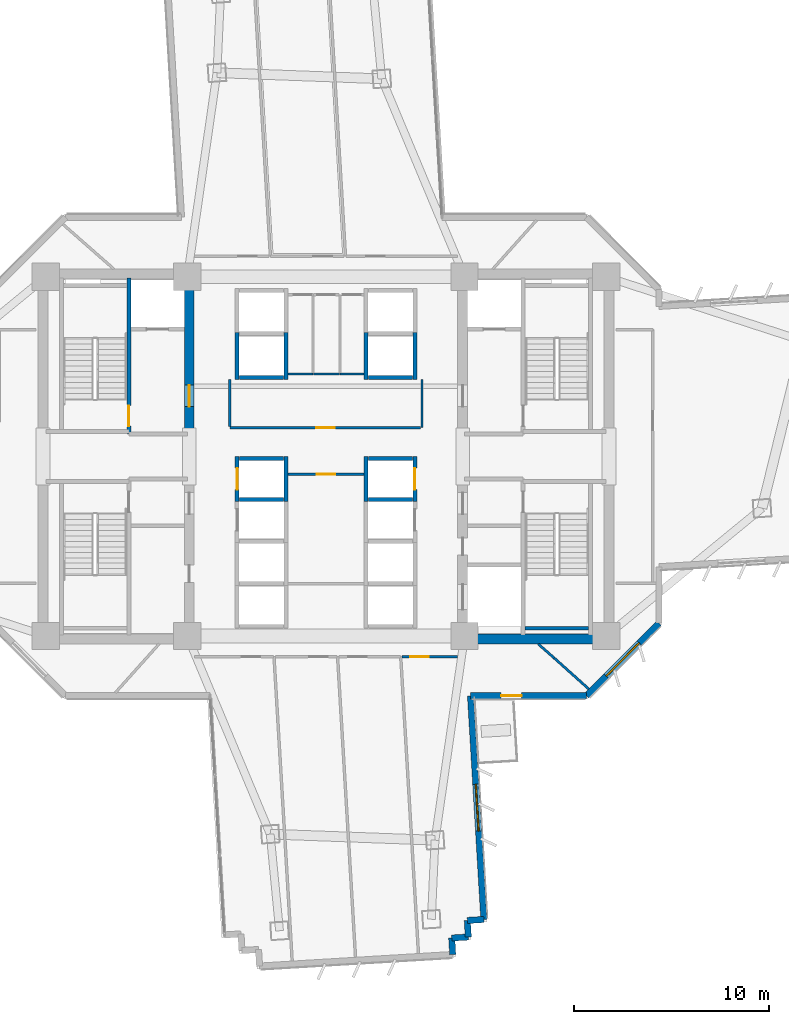
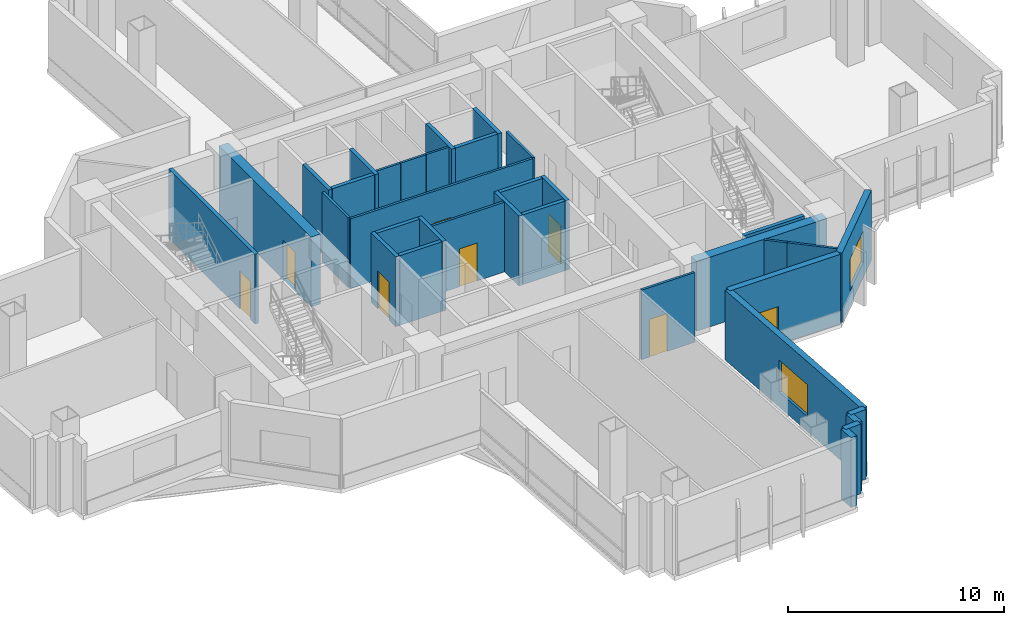
# One storey, part 7 of 15: 35 walls, 8 doors, 2 windows, 10 openings.
"""IFC4 building model written with IfcOpenShell, lengths in metres."""

from ifc_helpers import new_model, si_unit, direction, frame, frame_2d, origin, place, context, subcontext, project, spatial, rectangle, extrude, source, transform, mapped, material, layer, layer_set, type_object, element, fill, save


model = new_model("IFC4")

# Units and contexts
model_context = context("Model", 3, precision=1e-05, world=origin(), true_north=direction((0.0, 1.0)))
body_context = subcontext(model_context, "Body", "Model", "MODEL_VIEW")
ifc_project = project(units=[si_unit("LENGTHUNIT", "METRE"), si_unit("AREAUNIT", "SQUARE_METRE"), si_unit("VOLUMEUNIT", "CUBIC_METRE"), si_unit("PLANEANGLEUNIT", "RADIAN"), si_unit("MASSUNIT", "GRAM", prefix="KILO")], contexts=[model_context])

# Site, building, storey
site_placement = place(None, origin())
site = spatial("IfcSite", under=ifc_project, at=site_placement, CompositionType="ELEMENT")
building_placement = place(site_placement, origin())
building = spatial("IfcBuilding", under=site, at=building_placement, Name="Zahravan Cultural Tower", CompositionType="ELEMENT")
storey_placement = place(building_placement, frame((0.0, 0.0, 75.300048828125)))
storey = spatial("IfcBuildingStorey", under=building, at=storey_placement, Name="L16", CompositionType="ELEMENT", Elevation=75.300048828125)

# Wall, opening, door
ifc_material_1 = material(Name="Concrete C60/75", Category="concrete")
ifc_layer_1 = layer(ifc_material_1, 0.5)
ifc_layer_set_1 = layer_set([ifc_layer_1], Name="Concrete C60/75")
wall_type_1 = type_object("IfcWallType", Name="CW-SHEAR-500-C60", PredefinedType="SHEAR", material=ifc_layer_set_1)
wall_1_placement = place(storey_placement, frame((29.0, 28.050048828125, 0.0), z_axis=(0.0, 0.0, 1.0), x_axis=(0.0, 1.0, 0.0)))
wall_1 = element("IfcWall", 1, at=wall_1_placement, inside=storey, type_object=wall_type_1, Name="L16 Core Shear Wall CW-W-EN-L16", PredefinedType="SHEAR", context=body_context, shape_type="SweptSolid", body=[
    extrude(rectangle(XDim=8.550048828125, YDim=0.5, at=frame_2d((4.27490234375, 0.0))), origin(), (0.0, 0.0, 1.0), 3.949951171875),
])
opening_1_placement = place(wall_1_placement, frame((1.5, 0.0, 0.0)))
opening_1 = element("IfcOpeningElement", 2, at=opening_1_placement, cuts=wall_1, Name="Opening D-L16-05", PredefinedType="OPENING", context=body_context, shape_type="SweptSolid", body=[
    extrude(rectangle(XDim=1.10009765625, YDim=2.199951171875, at=frame_2d((0.550048828125, 1.10009765625))), frame((0.0, 0.260009765625, 0.0), z_axis=(0.0, -1.0, 0.0), x_axis=(1.0, 0.0, 0.0)), (0.0, 0.0, 1.0), 0.52001953125),
])
ifc_material_2 = material(Name="Steel ASTM A572 Grade 50", Category="steel")
door_type_1 = type_object("IfcDoorType", Name="DR-LOBBY-1100", OperationType="NOTDEFINED", PredefinedType="DOOR", material=ifc_material_2)
shared_shape_1 = source(origin(), body_context, "Body", "SweptSolid", [
    extrude(rectangle(XDim=1.10009765625, YDim=2.199951171875, at=frame_2d((0.550048828125, 1.10009765625))), frame((0.0, 0.02490234375, 0.0), z_axis=(0.0, -1.0, 0.0), x_axis=(1.0, 0.0, 0.0)), (0.0, 0.0, 1.0), 0.050048828125),
])
door_1_placement = place(opening_1_placement, origin())
door_1 = element("IfcDoor", 3, at=door_1_placement, inside=storey, type_object=door_type_1, Name="L16 Door D-L16-05", OperationType="SINGLE_SWING_RIGHT", OverallHeight=2.199951171875, OverallWidth=1.10009765625, PredefinedType="DOOR", context=body_context, shape_type="MappedRepresentation", body=[
    mapped(shared_shape_1, transform((0.0, 0.0, 0.0), x_axis=(1.0, 0.0, 0.0), y_axis=(0.0, 1.0, 0.0), z_axis=(0.0, 0.0, 1.0), scale=1.0)),
])
fill(opening_1, door_1)

# Wall, opening, window
ifc_material_3 = material(Name="Precast concrete C40/50", Category="concrete")
ifc_layer_2 = layer(ifc_material_3, 0.320068359375)
ifc_layer_set_2 = layer_set([ifc_layer_2], Name="Precast concrete C40/50")
wall_type_2 = type_object("IfcWallType", Name="EW-TC-320", PredefinedType="SOLIDWALL", material=ifc_layer_set_2)
wall_2_placement = place(storey_placement, frame((53.06005859375, 18.4580078125, 0.0), z_axis=(0.0, 0.0, 1.0), x_axis=(-0.707106781187, -0.707106781187, 0.0)))
wall_2 = element("IfcWall", 4, at=wall_2_placement, inside=storey, type_object=wall_type_2, Name="L16 Exterior Masonry Frame Wall 13", PredefinedType="SOLIDWALL", context=body_context, shape_type="SweptSolid", body=[
    extrude(rectangle(XDim=5.258056640625, YDim=0.320068359375, at=frame_2d((2.62890625, 0.0))), origin(), (0.0, 0.0, 1.0), 3.949951171875),
])
opening_2_placement = place(wall_2_placement, frame((1.428955078125, 0.0, 0.85009765625)))
opening_2 = element("IfcOpeningElement", 5, at=opening_2_placement, cuts=wall_2, Name="Opening WN-01", PredefinedType="OPENING", context=body_context, shape_type="SweptSolid", body=[
    extrude(rectangle(XDim=2.39990234375, YDim=1.800048828125, at=frame_2d((1.199951171875, 0.89990234375))), frame((0.0, 0.169921875, 0.0), z_axis=(0.0, -1.0, 0.0), x_axis=(1.0, 0.0, 0.0)), (0.0, 0.0, 1.0), 0.340087890625),
])
ifc_material_4 = material(Name="Low-E solar-control double glazing", Category="glass")
window_type = type_object("IfcWindowType", Name="WN-REC-2400X1800", PartitioningType="DOUBLE_PANEL_VERTICAL", PredefinedType="WINDOW", material=ifc_material_4)
shared_shape_2 = source(origin(), body_context, "Body", "SweptSolid", [
    extrude(rectangle(XDim=2.39990234375, YDim=1.800048828125, at=frame_2d((1.199951171875, 0.89990234375))), frame((0.0, 0.030029296875, 0.0), z_axis=(0.0, -1.0, 0.0), x_axis=(1.0, 0.0, 0.0)), (0.0, 0.0, 1.0), 0.06005859375),
])
window_1_placement = place(opening_2_placement, origin())
window_1 = element("IfcWindow", 6, at=window_1_placement, inside=storey, type_object=window_type, Name="L16 Recessed Solar Window 04", OverallHeight=1.800048828125, OverallWidth=2.39990234375, PartitioningType="DOUBLE_PANEL_VERTICAL", PredefinedType="WINDOW", context=body_context, shape_type="MappedRepresentation", body=[
    mapped(shared_shape_2, transform((0.0, 0.0, 0.0), x_axis=(1.0, 0.0, 0.0), y_axis=(0.0, 1.0, 0.0), z_axis=(0.0, 0.0, 1.0), scale=1.0)),
])
fill(opening_2, window_1)

# Wall, opening, door
wall_3_placement = place(storey_placement, frame((49.342041015625, 14.739990234375, 0.0), z_axis=(0.0, 0.0, 1.0), x_axis=(-1.0, 0.0, 0.0)))
wall_3 = element("IfcWall", 7, at=wall_3_placement, inside=storey, type_object=wall_type_2, Name="L16 Exterior Masonry Frame Wall 14", PredefinedType="SOLIDWALL", context=body_context, shape_type="SweptSolid", body=[
    extrude(rectangle(XDim=5.9375, YDim=0.320068359375, at=frame_2d((2.96875, 0.0))), origin(), (0.0, 0.0, 1.0), 3.949951171875),
])
opening_3_placement = place(wall_3_placement, frame((3.323974609375, 0.0, 0.0)))
opening_3 = element("IfcOpeningElement", 8, at=opening_3_placement, cuts=wall_3, Name="Opening D-L16-TR-SE", PredefinedType="OPENING", context=body_context, shape_type="SweptSolid", body=[
    extrude(rectangle(XDim=1.050048828125, YDim=2.14990234375, at=frame_2d((0.52490234375, 1.074951171875))), frame((0.0, 0.169921875, 0.0), z_axis=(0.0, -1.0, 0.0), x_axis=(1.0, 0.0, 0.0)), (0.0, 0.0, 1.0), 0.340087890625),
])
ifc_material_5 = material(Name="Anodised bronze-aluminium mullion", Category="aluminium")
door_type_2 = type_object("IfcDoorType", Name="DR-TERR-1050", OperationType="NOTDEFINED", PredefinedType="DOOR", material=ifc_material_5)
shared_shape_3 = source(origin(), body_context, "Body", "SweptSolid", [
    extrude(rectangle(XDim=1.050048828125, YDim=2.14990234375, at=frame_2d((0.52490234375, 1.074951171875))), frame((0.0, 0.02490234375, 0.0), z_axis=(0.0, -1.0, 0.0), x_axis=(1.0, 0.0, 0.0)), (0.0, 0.0, 1.0), 0.050048828125),
])
door_2_placement = place(opening_3_placement, origin())
door_2 = element("IfcDoor", 9, at=door_2_placement, inside=storey, type_object=door_type_2, Name="L16 Terrace Access Door SE", OperationType="SINGLE_SWING_LEFT", OverallHeight=2.14990234375, OverallWidth=1.050048828125, PredefinedType="DOOR", context=body_context, shape_type="MappedRepresentation", body=[
    mapped(shared_shape_3, transform((0.0, 0.0, 0.0), x_axis=(1.0, 0.0, 0.0), y_axis=(0.0, 1.0, 0.0), z_axis=(0.0, 0.0, 1.0), scale=1.0)),
])
fill(opening_3, door_2)

# Wall, opening, window
wall_4_placement = place(storey_placement, frame((43.404541015625, 14.739990234375, 0.0), z_axis=(0.0, 0.0, 1.0), x_axis=(0.059651994121, -0.998219234235, 0.0)))
wall_4 = element("IfcWall", 10, at=wall_4_placement, inside=storey, type_object=wall_type_2, Name="L16 Exterior Masonry Frame Wall 15", PredefinedType="SOLIDWALL", context=body_context, shape_type="SweptSolid", body=[
    extrude(rectangle(XDim=11.480224609375, YDim=0.320068359375, at=frame_2d((5.740234375, 0.0))), origin(), (0.0, 0.0, 1.0), 3.949951171875),
])
opening_4_placement = place(wall_4_placement, frame((4.5400390625, 0.0, 0.85009765625)))
opening_4 = element("IfcOpeningElement", 11, at=opening_4_placement, cuts=wall_4, Name="Opening WN-01", PredefinedType="OPENING", context=body_context, shape_type="SweptSolid", body=[
    extrude(rectangle(XDim=2.39990234375, YDim=1.800048828125, at=frame_2d((1.199951171875, 0.89990234375))), frame((0.0, 0.169921875, 0.0), z_axis=(0.0, -1.0, 0.0), x_axis=(1.0, 0.0, 0.0)), (0.0, 0.0, 1.0), 0.340087890625),
])
window_2_placement = place(opening_4_placement, origin())
window_2 = element("IfcWindow", 12, at=window_2_placement, inside=storey, type_object=window_type, Name="L16 Recessed Solar Window 05", OverallHeight=1.800048828125, OverallWidth=2.39990234375, PartitioningType="DOUBLE_PANEL_VERTICAL", PredefinedType="WINDOW", context=body_context, shape_type="MappedRepresentation", body=[
    mapped(shared_shape_2, transform((0.0, 0.0, 0.0), x_axis=(1.0, 0.0, 0.0), y_axis=(0.0, 1.0, 0.0), z_axis=(0.0, 0.0, 1.0), scale=1.0)),
])
fill(opening_4, window_2)

# Wall, opening, door
ifc_material_6 = material(Name="Gypsum plasterboard partition")
ifc_layer_3 = layer(ifc_material_6, 0.125)
ifc_layer_set_3 = layer_set([ifc_layer_3], Name="Gypsum plasterboard partition")
wall_type_3 = type_object("IfcWallType", Name="W-PART-125", PredefinedType="PARTITIONING", material=ifc_layer_set_3)
wall_5_placement = place(storey_placement, frame((34.054931640625, 26.080078125, 0.0), z_axis=(0.0, 0.0, 1.0), x_axis=(1.0, 0.0, 0.0)))
wall_5 = element("IfcWall", 13, at=wall_5_placement, inside=storey, type_object=wall_type_3, Name="L16 Interior Wall 074", PredefinedType="PARTITIONING", context=body_context, shape_type="SweptSolid", body=[
    extrude(rectangle(XDim=3.89013671875, YDim=0.125, at=frame_2d((1.945068359375, 0.0))), origin(), (0.0, 0.0, 1.0), 3.949951171875),
])
opening_5_placement = place(wall_5_placement, frame((1.469970703125, 0.0, 0.0)))
opening_5 = element("IfcOpeningElement", 14, at=opening_5_placement, cuts=wall_5, Name="Opening D-L16-14", PredefinedType="OPENING", context=body_context, shape_type="SweptSolid", body=[
    extrude(rectangle(XDim=0.949951171875, YDim=2.14990234375, at=frame_2d((0.47509765625, 1.074951171875))), frame((0.0, 0.072509765625, 0.0), z_axis=(0.0, -1.0, 0.0), x_axis=(1.0, 0.0, 0.0)), (0.0, 0.0, 1.0), 0.14501953125),
])
door_type_3 = type_object("IfcDoorType", Name="DR-ROOM-950", OperationType="NOTDEFINED", PredefinedType="DOOR", material=ifc_material_5)
shared_shape_4 = source(origin(), body_context, "Body", "SweptSolid", [
    extrude(rectangle(XDim=0.949951171875, YDim=2.14990234375, at=frame_2d((0.47509765625, 1.074951171875))), frame((0.0, 0.02490234375, 0.0), z_axis=(0.0, -1.0, 0.0), x_axis=(1.0, 0.0, 0.0)), (0.0, 0.0, 1.0), 0.050048828125),
])
door_3_placement = place(opening_5_placement, origin())
door_3 = element("IfcDoor", 15, at=door_3_placement, inside=storey, type_object=door_type_3, Name="L16 Door D-L16-14", OperationType="SINGLE_SWING_LEFT", OverallHeight=2.14990234375, OverallWidth=0.949951171875, PredefinedType="DOOR", context=body_context, shape_type="MappedRepresentation", body=[
    mapped(shared_shape_4, transform((0.0, 0.0, 0.0), x_axis=(1.0, 0.0, 0.0), y_axis=(0.0, 1.0, 0.0), z_axis=(0.0, 0.0, 1.0), scale=1.0)),
])
fill(opening_5, door_3)

wall_6_placement = place(storey_placement, frame((40.8525390625, 28.47998046875, 0.0), z_axis=(0.0, 0.0, 1.0), x_axis=(-1.0, 0.0, 0.0)))
wall_6 = element("IfcWall", 16, at=wall_6_placement, inside=storey, type_object=wall_type_3, Name="L16 Interior Wall 077", PredefinedType="PARTITIONING", context=body_context, shape_type="SweptSolid", body=[
    extrude(rectangle(XDim=9.7724609375, YDim=0.125, at=frame_2d((4.88623046875, 0.0))), origin(), (0.0, 0.0, 1.0), 3.949951171875),
])
opening_6_placement = place(wall_6_placement, frame((4.411376953125, 0.0, 0.0)))
opening_6 = element("IfcOpeningElement", 17, at=opening_6_placement, cuts=wall_6, Name="Opening D-L16-15", PredefinedType="OPENING", context=body_context, shape_type="SweptSolid", body=[
    extrude(rectangle(XDim=0.949951171875, YDim=2.14990234375, at=frame_2d((0.47509765625, 1.074951171875))), frame((0.0, 0.072509765625, 0.0), z_axis=(0.0, -1.0, 0.0), x_axis=(1.0, 0.0, 0.0)), (0.0, 0.0, 1.0), 0.14501953125),
])
door_4_placement = place(opening_6_placement, origin())
door_4 = element("IfcDoor", 18, at=door_4_placement, inside=storey, type_object=door_type_3, Name="L16 Door D-L16-15", OperationType="SINGLE_SWING_RIGHT", OverallHeight=2.14990234375, OverallWidth=0.949951171875, PredefinedType="DOOR", context=body_context, shape_type="MappedRepresentation", body=[
    mapped(shared_shape_4, transform((0.0, 0.0, 0.0), x_axis=(1.0, 0.0, 0.0), y_axis=(0.0, 1.0, 0.0), z_axis=(0.0, 0.0, 1.0), scale=1.0)),
])
fill(opening_6, door_4)

wall_7_placement = place(storey_placement, frame((39.896484375, 16.739990234375, 0.0), z_axis=(0.0, 0.0, 1.0), x_axis=(0.999999908279, 0.000428302171, 0.0)))
wall_7 = element("IfcWall", 19, at=wall_7_placement, inside=storey, type_object=wall_type_3, Name="L16 Interior Wall 089", PredefinedType="PARTITIONING", context=body_context, shape_type="SweptSolid", body=[
    extrude(rectangle(XDim=2.85009765625, YDim=0.125, at=frame_2d((1.425048828125, 0.0))), origin(), (0.0, 0.0, 1.0), 3.949951171875),
])
opening_7_placement = place(wall_7_placement, frame((0.41796875, 0.0, 0.0)))
opening_7 = element("IfcOpeningElement", 20, at=opening_7_placement, cuts=wall_7, Name="Opening D-L16-25", PredefinedType="OPENING", context=body_context, shape_type="SweptSolid", body=[
    extrude(rectangle(XDim=0.949951171875, YDim=2.14990234375, at=frame_2d((0.47509765625, 1.074951171875))), frame((0.0, 0.072509765625, 0.0), z_axis=(0.0, -1.0, 0.0), x_axis=(1.0, 0.0, 0.0)), (0.0, 0.0, 1.0), 0.14501953125),
])
door_5_placement = place(opening_7_placement, origin())
door_5 = element("IfcDoor", 21, at=door_5_placement, inside=storey, type_object=door_type_3, Name="L16 Door D-L16-25", OperationType="SINGLE_SWING_RIGHT", OverallHeight=2.14990234375, OverallWidth=0.949951171875, PredefinedType="DOOR", context=body_context, shape_type="MappedRepresentation", body=[
    mapped(shared_shape_4, transform((0.0, 0.0, 0.0), x_axis=(1.0, 0.0, 0.0), y_axis=(0.0, 1.0, 0.0), z_axis=(0.0, 0.0, 1.0), scale=1.0)),
])
fill(opening_7, door_5)

ifc_material_7 = material(Name="Concrete C45/55", Category="concrete")
ifc_layer_4 = layer(ifc_material_7, 0.199951171875)
ifc_layer_set_4 = layer_set([ifc_layer_4], Name="Concrete C45/55")
wall_type_4 = type_object("IfcWallType", Name="W-SHAFT-200", PredefinedType="SOLIDWALL", material=ifc_layer_set_4)
wall_8_placement = place(storey_placement, frame((25.89990234375, 28.14990234375, 0.0), z_axis=(0.0, 0.0, 1.0), x_axis=(0.0, 1.0, 0.0)))
wall_8 = element("IfcWall", 22, at=wall_8_placement, inside=storey, type_object=wall_type_4, Name="L16 Interior Wall 006", PredefinedType="SOLIDWALL", context=body_context, shape_type="SweptSolid", body=[
    extrude(rectangle(XDim=8.0, YDim=0.199951171875, at=frame_2d((4.0, 0.0))), origin(), (0.0, 0.0, 1.0), 3.949951171875),
])
opening_8_placement = place(wall_8_placement, frame((0.39990234375, 0.0, 0.0)))
opening_8 = element("IfcOpeningElement", 23, at=opening_8_placement, cuts=wall_8, Name="Opening D-L16-01", PredefinedType="OPENING", context=body_context, shape_type="SweptSolid", body=[
    extrude(rectangle(XDim=1.050048828125, YDim=2.14990234375, at=frame_2d((0.52490234375, 1.074951171875))), frame((0.0, 0.10986328125, 0.0), z_axis=(0.0, -1.0, 0.0), x_axis=(1.0, 0.0, 0.0)), (0.0, 0.0, 1.0), 0.219970703125),
])
door_type_4 = type_object("IfcDoorType", Name="DR-STAIR-1050", OperationType="NOTDEFINED", PredefinedType="DOOR", material=ifc_material_2)
door_6_placement = place(opening_8_placement, origin())
door_6 = element("IfcDoor", 24, at=door_6_placement, inside=storey, type_object=door_type_4, Name="L16 Door D-L16-01", OperationType="SINGLE_SWING_RIGHT", OverallHeight=2.14990234375, OverallWidth=1.050048828125, PredefinedType="DOOR", context=body_context, shape_type="MappedRepresentation", body=[
    mapped(shared_shape_3, transform((0.0, 0.0, 0.0), x_axis=(1.0, 0.0, 0.0), y_axis=(0.0, 1.0, 0.0), z_axis=(0.0, 0.0, 1.0), scale=1.0)),
])
fill(opening_8, door_6)

wall_9_placement = place(storey_placement, frame((31.449951171875, 24.699951171875, 0.0), z_axis=(0.0, 0.0, 1.0), x_axis=(0.0, 1.0, 0.0)))
wall_9 = element("IfcWall", 25, at=wall_9_placement, inside=storey, type_object=wall_type_4, Name="L16 Interior Wall 054", PredefinedType="SOLIDWALL", context=body_context, shape_type="SweptSolid", body=[
    extrude(rectangle(XDim=2.300048828125, YDim=0.199951171875, at=frame_2d((1.14990234375, 0.0))), origin(), (0.0, 0.0, 1.0), 3.949951171875),
])
opening_9_placement = place(wall_9_placement, frame((0.60009765625, 0.0, 0.0)))
opening_9 = element("IfcOpeningElement", 26, at=opening_9_placement, cuts=wall_9, Name="Opening LD-L16-04", PredefinedType="OPENING", context=body_context, shape_type="SweptSolid", body=[
    extrude(rectangle(XDim=1.10009765625, YDim=2.14990234375, at=frame_2d((0.550048828125, 1.074951171875))), frame((0.0, 0.10986328125, 0.0), z_axis=(0.0, -1.0, 0.0), x_axis=(1.0, 0.0, 0.0)), (0.0, 0.0, 1.0), 0.219970703125),
])
door_type_5 = type_object("IfcDoorType", Name="DR-LIFT-1100", OperationType="DOUBLE_DOOR_SLIDING", PredefinedType="DOOR", material=ifc_material_2)
shared_shape_5 = source(origin(), body_context, "Body", "SweptSolid", [
    extrude(rectangle(XDim=1.10009765625, YDim=2.14990234375, at=frame_2d((0.550048828125, 1.074951171875))), frame((0.0, 0.02490234375, 0.0), z_axis=(0.0, -1.0, 0.0), x_axis=(1.0, 0.0, 0.0)), (0.0, 0.0, 1.0), 0.050048828125),
])
door_7_placement = place(opening_9_placement, origin())
door_7 = element("IfcDoor", 27, at=door_7_placement, inside=storey, type_object=door_type_5, Name="L16 Door LD-L16-04", OperationType="DOUBLE_DOOR_SLIDING", OverallHeight=2.14990234375, OverallWidth=1.10009765625, PredefinedType="DOOR", context=body_context, shape_type="MappedRepresentation", body=[
    mapped(shared_shape_5, transform((0.0, 0.0, 0.0), x_axis=(1.0, 0.0, 0.0), y_axis=(0.0, 1.0, 0.0), z_axis=(0.0, 0.0, 1.0), scale=1.0)),
])
fill(opening_9, door_7)

wall_10_placement = place(storey_placement, frame((40.550048828125, 24.699951171875, 0.0), z_axis=(0.0, 0.0, 1.0), x_axis=(0.0, 1.0, 0.0)))
wall_10 = element("IfcWall", 28, at=wall_10_placement, inside=storey, type_object=wall_type_4, Name="L16 Interior Wall 061", PredefinedType="SOLIDWALL", context=body_context, shape_type="SweptSolid", body=[
    extrude(rectangle(XDim=2.300048828125, YDim=0.199951171875, at=frame_2d((1.14990234375, 0.0))), origin(), (0.0, 0.0, 1.0), 3.949951171875),
])
opening_10_placement = place(wall_10_placement, frame((0.60009765625, 0.0, 0.0)))
opening_10 = element("IfcOpeningElement", 29, at=opening_10_placement, cuts=wall_10, Name="Opening LD-L16-06", PredefinedType="OPENING", context=body_context, shape_type="SweptSolid", body=[
    extrude(rectangle(XDim=1.10009765625, YDim=2.14990234375, at=frame_2d((0.550048828125, 1.074951171875))), frame((0.0, 0.10986328125, 0.0), z_axis=(0.0, -1.0, 0.0), x_axis=(1.0, 0.0, 0.0)), (0.0, 0.0, 1.0), 0.219970703125),
])
door_8_placement = place(opening_10_placement, origin())
door_8 = element("IfcDoor", 30, at=door_8_placement, inside=storey, type_object=door_type_5, Name="L16 Door LD-L16-06", OperationType="DOUBLE_DOOR_SLIDING", OverallHeight=2.14990234375, OverallWidth=1.10009765625, PredefinedType="DOOR", context=body_context, shape_type="MappedRepresentation", body=[
    mapped(shared_shape_5, transform((0.0, 0.0, 0.0), x_axis=(1.0, 0.0, 0.0), y_axis=(0.0, 1.0, 0.0), z_axis=(0.0, 0.0, 1.0), scale=1.0)),
])
fill(opening_10, door_8)

# Walls
shared_shape_6 = source(origin(), body_context, "Body", "SweptSolid", [
    extrude(rectangle(XDim=7.0, YDim=0.5, at=frame_2d((3.5, 0.0))), origin(), (0.0, 0.0, 1.0), 3.949951171875),
])
wall_11_placement = place(storey_placement, frame((43.25, 17.64990234375, 0.0), z_axis=(0.0, 0.0, 1.0), x_axis=(1.0, 0.0, 0.0)))
element("IfcWall", 31, at=wall_11_placement, inside=storey, type_object=wall_type_1, Name="L16 Core Shear Wall CW-E-S-L16", PredefinedType="SHEAR", context=body_context, shape_type="MappedRepresentation", body=[
    mapped(shared_shape_6, transform((0.0, 0.0, 0.0), x_axis=(1.0, 0.0, 0.0), y_axis=(0.0, 1.0, 0.0), z_axis=(0.0, 0.0, 1.0), scale=1.0)),
])
shared_shape_7 = source(origin(), body_context, "Body", "SweptSolid", [
    extrude(rectangle(XDim=0.849853515625, YDim=0.320068359375, at=frame_2d((0.4248046875, 0.0))), origin(), (0.0, 0.0, 1.0), 3.949951171875),
])
for number, where, z_axis, x_axis, name in (
    (32, (44.08935546875, 3.2802734375, 0.0), (0.0, 0.0, 1.0), (-0.998213421964, -0.059749177487, 0.0), "L16 Exterior Masonry Frame Wall 16"),
    (33, (43.240966796875, 3.2294921875, 0.0), (0.0, 0.0, 1.0), (0.059462939961, -0.998230513845, 0.0), "L16 Exterior Masonry Frame Wall 17"),
    (34, (43.29150390625, 2.381103515625, 0.0), (0.0, 0.0, 1.0), (-0.998213421964, -0.059749177487, 0.0), "L16 Exterior Masonry Frame Wall 18"),
    (35, (42.443115234375, 2.330322265625, 0.0), (0.0, 0.0, 1.0), (0.059749177487, -0.998213421964, 0.0), "L16 Exterior Masonry Frame Wall 19"),
):
    element("IfcWall", number, at=place(storey_placement, frame(where, z_axis=z_axis, x_axis=x_axis)), inside=storey, type_object=wall_type_2, Name=name, PredefinedType="SOLIDWALL", context=body_context, shape_type="MappedRepresentation", body=[
        mapped(shared_shape_7, transform((0.0, 0.0, 0.0), x_axis=(1.0, 0.0, 0.0), y_axis=(0.0, 1.0, 0.0), z_axis=(0.0, 0.0, 1.0), scale=1.0)),
    ])
shared_shape_8 = source(origin(), body_context, "Body", "SweptSolid", [
    extrude(rectangle(XDim=3.25, YDim=0.199951171875, at=frame_2d((1.625, 0.0))), origin(), (0.0, 0.0, 1.0), 3.949951171875),
])
wall_12_placement = place(storey_placement, frame((46.199951171875, 18.199951171875, 0.0), z_axis=(0.0, 0.0, 1.0), x_axis=(1.0, 0.0, 0.0)))
element("IfcWall", 36, at=wall_12_placement, inside=storey, type_object=wall_type_4, Name="L16 Interior Wall 020", PredefinedType="SOLIDWALL", context=body_context, shape_type="MappedRepresentation", body=[
    mapped(shared_shape_8, transform((0.0, 0.0, 0.0), x_axis=(1.0, 0.0, 0.0), y_axis=(0.0, 1.0, 0.0), z_axis=(0.0, 0.0, 1.0), scale=1.0)),
])
shared_shape_9 = source(origin(), body_context, "Body", "SweptSolid", [
    extrude(rectangle(XDim=2.400146484375, YDim=0.199951171875, at=frame_2d((1.2001953125, 0.0))), origin(), (0.0, 0.0, 1.0), 3.949951171875),
])
for number, where, z_axis, x_axis, name in (
    (37, (31.449951171875, 30.949951171875, 0.0), (0.0, 0.0, 1.0), (0.0, 1.0, 0.0), "L16 Interior Wall 030"),
    (38, (33.949951171875, 30.949951171875, 0.0), (0.0, 0.0, 1.0), (0.0, 1.0, 0.0), "L16 Interior Wall 031"),
    (39, (38.050048828125, 30.949951171875, 0.0), (0.0, 0.0, 1.0), (0.0, 1.0, 0.0), "L16 Interior Wall 037"),
    (40, (40.550048828125, 30.949951171875, 0.0), (0.0, 0.0, 1.0), (0.0, 1.0, 0.0), "L16 Interior Wall 038"),
):
    element("IfcWall", number, at=place(storey_placement, frame(where, z_axis=z_axis, x_axis=x_axis)), inside=storey, type_object=wall_type_4, Name=name, PredefinedType="SOLIDWALL", context=body_context, shape_type="MappedRepresentation", body=[
        mapped(shared_shape_9, transform((0.0, 0.0, 0.0), x_axis=(1.0, 0.0, 0.0), y_axis=(0.0, 1.0, 0.0), z_axis=(0.0, 0.0, 1.0), scale=1.0)),
    ])
shared_shape_10 = source(origin(), body_context, "Body", "SweptSolid", [
    extrude(rectangle(XDim=2.260009765625, YDim=0.199951171875, at=frame_2d((1.1298828125, 0.0))), origin(), (0.0, 0.0, 1.0), 3.949951171875),
])
for number, where, z_axis, x_axis, name in (
    (41, (31.570068359375, 31.050048828125, 0.0), (0.0, 0.0, 1.0), (1.0, 0.0, 0.0), "L16 Interior Wall 032"),
    (42, (38.169921875, 31.050048828125, 0.0), (0.0, 0.0, 1.0), (1.0, 0.0, 0.0), "L16 Interior Wall 039"),
    (43, (31.570068359375, 24.800048828125, 0.0), (0.0, 0.0, 1.0), (1.0, 0.0, 0.0), "L16 Interior Wall 056"),
    (44, (31.570068359375, 26.89990234375, 0.0), (0.0, 0.0, 1.0), (1.0, 0.0, 0.0), "L16 Interior Wall 057"),
    (45, (38.169921875, 24.800048828125, 0.0), (0.0, 0.0, 1.0), (1.0, 0.0, 0.0), "L16 Interior Wall 062"),
    (46, (38.169921875, 26.89990234375, 0.0), (0.0, 0.0, 1.0), (1.0, 0.0, 0.0), "L16 Interior Wall 063"),
):
    element("IfcWall", number, at=place(storey_placement, frame(where, z_axis=z_axis, x_axis=x_axis)), inside=storey, type_object=wall_type_4, Name=name, PredefinedType="SOLIDWALL", context=body_context, shape_type="MappedRepresentation", body=[
        mapped(shared_shape_10, transform((0.0, 0.0, 0.0), x_axis=(1.0, 0.0, 0.0), y_axis=(0.0, 1.0, 0.0), z_axis=(0.0, 0.0, 1.0), scale=1.0)),
    ])
shared_shape_11 = source(origin(), body_context, "Body", "SweptSolid", [
    extrude(rectangle(XDim=2.300048828125, YDim=0.199951171875, at=frame_2d((1.14990234375, 0.0))), origin(), (0.0, 0.0, 1.0), 3.949951171875),
])
for number, where, z_axis, x_axis, name in (
    (47, (33.949951171875, 24.699951171875, 0.0), (0.0, 0.0, 1.0), (0.0, 1.0, 0.0), "L16 Interior Wall 055"),
    (48, (38.050048828125, 24.699951171875, 0.0), (0.0, 0.0, 1.0), (0.0, 1.0, 0.0), "L16 Interior Wall 060"),
):
    element("IfcWall", number, at=place(storey_placement, frame(where, z_axis=z_axis, x_axis=x_axis)), inside=storey, type_object=wall_type_4, Name=name, PredefinedType="SOLIDWALL", context=body_context, shape_type="MappedRepresentation", body=[
        mapped(shared_shape_11, transform((0.0, 0.0, 0.0), x_axis=(1.0, 0.0, 0.0), y_axis=(0.0, 1.0, 0.0), z_axis=(0.0, 0.0, 1.0), scale=1.0)),
    ])
ifc_layer_5 = layer(ifc_material_6, 0.114990234375)
ifc_layer_set_5 = layer_set([ifc_layer_5], Name="Gypsum plasterboard partition")
wall_type_5 = type_object("IfcWallType", Name="W-WC-115", PredefinedType="PARTITIONING", material=ifc_layer_set_5)
shared_shape_12 = source(origin(), body_context, "Body", "SweptSolid", [
    extrude(rectangle(XDim=1.22509765625, YDim=0.114990234375, at=frame_2d((0.612548828125, 0.0))), origin(), (0.0, 0.0, 1.0), 3.949951171875),
])
wall_13_placement = place(storey_placement, frame((37.945068359375, 31.219970703125, 0.0), z_axis=(0.0, 0.0, 1.0), x_axis=(-1.0, 0.0, 0.0)))
element("IfcWall", 49, at=wall_13_placement, inside=storey, type_object=wall_type_5, Name="L16 Interior Wall 066", PredefinedType="PARTITIONING", context=body_context, shape_type="MappedRepresentation", body=[
    mapped(shared_shape_12, transform((0.0, 0.0, 0.0), x_axis=(1.0, 0.0, 0.0), y_axis=(0.0, 1.0, 0.0), z_axis=(0.0, 0.0, 1.0), scale=1.0)),
])
shared_shape_13 = source(origin(), body_context, "Body", "SweptSolid", [
    extrude(rectangle(XDim=1.28515625, YDim=0.114990234375, at=frame_2d((0.642578125, 0.0))), origin(), (0.0, 0.0, 1.0), 3.949951171875),
])
wall_14_placement = place(storey_placement, frame((35.340087890625, 31.219970703125, 0.0), z_axis=(0.0, 0.0, 1.0), x_axis=(-1.0, 0.0, 0.0)))
element("IfcWall", 50, at=wall_14_placement, inside=storey, type_object=wall_type_5, Name="L16 Interior Wall 069", PredefinedType="PARTITIONING", context=body_context, shape_type="MappedRepresentation", body=[
    mapped(shared_shape_13, transform((0.0, 0.0, 0.0), x_axis=(1.0, 0.0, 0.0), y_axis=(0.0, 1.0, 0.0), z_axis=(0.0, 0.0, 1.0), scale=1.0)),
])
shared_shape_14 = source(origin(), body_context, "Body", "SweptSolid", [
    extrude(rectangle(XDim=1.33984375, YDim=0.114990234375, at=frame_2d((0.669921875, 0.0))), origin(), (0.0, 0.0, 1.0), 3.949951171875),
])
wall_15_placement = place(storey_placement, frame((36.699951171875, 31.219970703125, 0.0), z_axis=(0.0, 0.0, 1.0), x_axis=(-1.0, 0.0, 0.0)))
element("IfcWall", 51, at=wall_15_placement, inside=storey, type_object=wall_type_5, Name="L16 Interior Wall 072", PredefinedType="PARTITIONING", context=body_context, shape_type="MappedRepresentation", body=[
    mapped(shared_shape_14, transform((0.0, 0.0, 0.0), x_axis=(1.0, 0.0, 0.0), y_axis=(0.0, 1.0, 0.0), z_axis=(0.0, 0.0, 1.0), scale=1.0)),
])
shared_shape_15 = source(origin(), body_context, "Body", "SweptSolid", [
    extrude(rectangle(XDim=2.40234375, YDim=0.125, at=frame_2d((1.201171875, 0.0))), origin(), (0.0, 0.0, 1.0), 3.949951171875),
])
wall_16_placement = place(storey_placement, frame((31.080078125, 28.547607421875, 0.0), z_axis=(0.0, 0.0, 1.0), x_axis=(0.0, 1.0, 0.0)))
element("IfcWall", 52, at=wall_16_placement, inside=storey, type_object=wall_type_3, Name="L16 Interior Wall 078", PredefinedType="PARTITIONING", context=body_context, shape_type="MappedRepresentation", body=[
    mapped(shared_shape_15, transform((0.0, 0.0, 0.0), x_axis=(1.0, 0.0, 0.0), y_axis=(0.0, 1.0, 0.0), z_axis=(0.0, 0.0, 1.0), scale=1.0)),
])
shared_shape_16 = source(origin(), body_context, "Body", "SweptSolid", [
    extrude(rectangle(XDim=2.469970703125, YDim=0.125, at=frame_2d((1.23486328125, 0.0))), origin(), (0.0, 0.0, 1.0), 3.949951171875),
])
wall_17_placement = place(storey_placement, frame((40.919921875, 30.949951171875, 0.0), z_axis=(0.0, 0.0, 1.0), x_axis=(0.0, -1.0, 0.0)))
element("IfcWall", 53, at=wall_17_placement, inside=storey, type_object=wall_type_3, Name="L16 Interior Wall 076", PredefinedType="PARTITIONING", context=body_context, shape_type="MappedRepresentation", body=[
    mapped(shared_shape_16, transform((0.0, 0.0, 0.0), x_axis=(1.0, 0.0, 0.0), y_axis=(0.0, 1.0, 0.0), z_axis=(0.0, 0.0, 1.0), scale=1.0)),
])
shared_shape_17 = source(origin(), body_context, "Body", "SweptSolid", [
    extrude(rectangle(XDim=1.098876953125, YDim=0.125, at=frame_2d((0.54931640625, 0.0))), origin(), (0.0, 0.0, 1.0), 3.949951171875),
])
wall_18_placement = place(storey_placement, frame((46.87109375, 17.39501953125, 0.0), z_axis=(0.0, 0.0, 1.0), x_axis=(0.750977912422, -0.660327324177, 0.0)))
element("IfcWall", 54, at=wall_18_placement, inside=storey, type_object=wall_type_3, Name="L16 Interior Wall 090", PredefinedType="PARTITIONING", context=body_context, shape_type="MappedRepresentation", body=[
    mapped(shared_shape_17, transform((0.0, 0.0, 0.0), x_axis=(1.0, 0.0, 0.0), y_axis=(0.0, 1.0, 0.0), z_axis=(0.0, 0.0, 1.0), scale=1.0)),
])
shared_shape_18 = source(origin(), body_context, "Body", "SweptSolid", [
    extrude(rectangle(XDim=2.36669921875, YDim=0.125, at=frame_2d((1.183349609375, 0.0))), origin(), (0.0, 0.0, 1.0), 3.949951171875),
])
wall_19_placement = place(storey_placement, frame((47.6962890625, 16.66943359375, 0.0), z_axis=(0.0, 0.0, 1.0), x_axis=(0.744928255706, -0.667144582419, 0.0)))
element("IfcWall", 55, at=wall_19_placement, inside=storey, type_object=wall_type_3, Name="L16 Interior Wall 091", PredefinedType="PARTITIONING", context=body_context, shape_type="MappedRepresentation", body=[
    mapped(shared_shape_18, transform((0.0, 0.0, 0.0), x_axis=(1.0, 0.0, 0.0), y_axis=(0.0, 1.0, 0.0), z_axis=(0.0, 0.0, 1.0), scale=1.0)),
])

save(model, "model.ifc")
